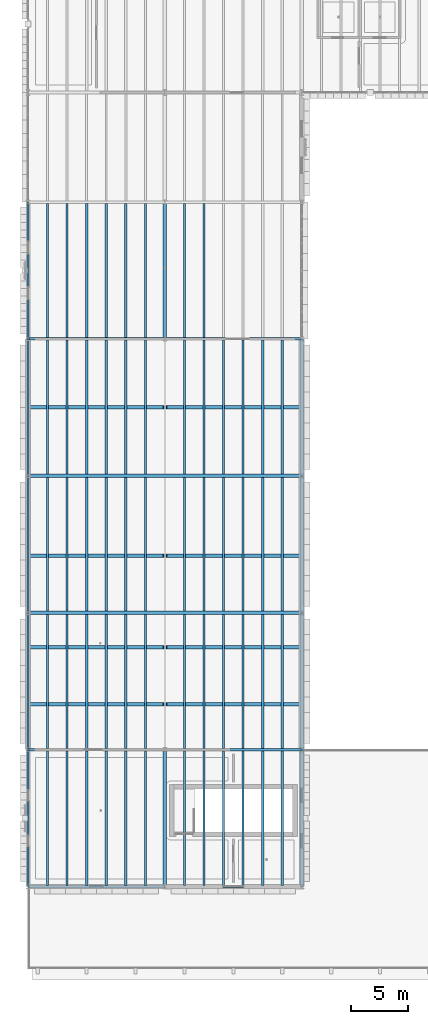
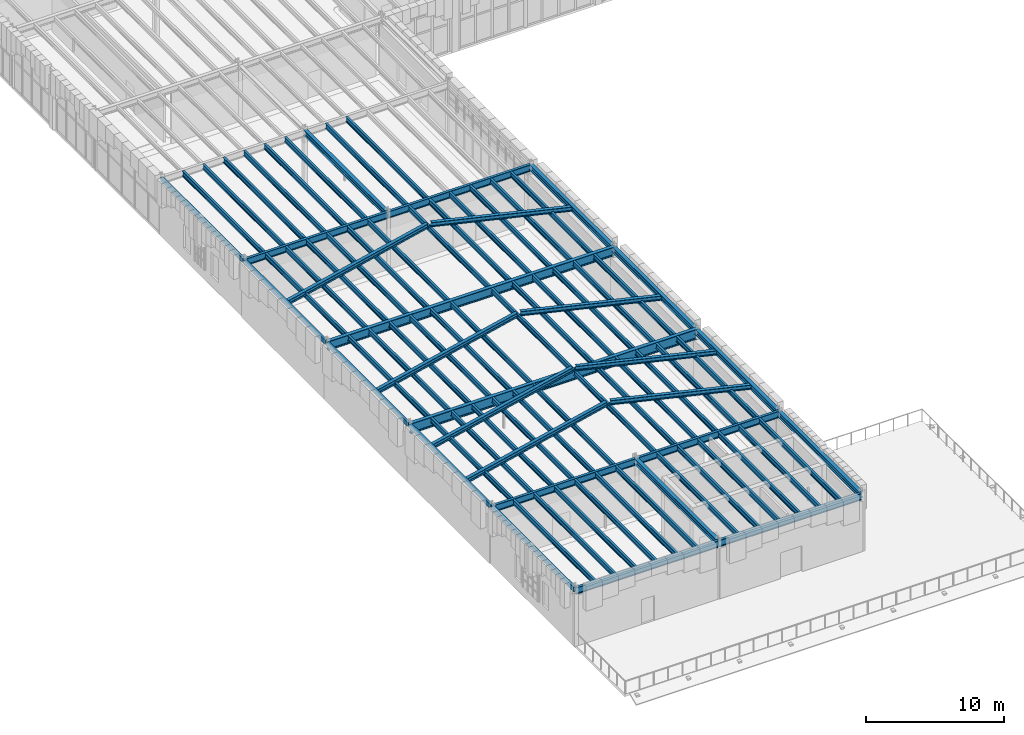
# One storey, part 14 of 100: 83 beams.
"""IFC4 building model written with IfcOpenShell, lengths in metres."""

from ifc_helpers import new_model, si_unit, direction, frame, origin, origin_2d, place, context, subcontext, project, spatial, hollow_rectangle, i_section, extrude, material, material_profile, profile_set, type_object, element, save


model = new_model("IFC4")

# Units and contexts
model_context = context("Model", 3, precision=1e-05, world=origin(), true_north=direction((0.0, 1.0)))
body_context = subcontext(model_context, "Body", "Model", "MODEL_VIEW")
ifc_project = project(units=[si_unit("LENGTHUNIT", "METRE"), si_unit("AREAUNIT", "SQUARE_METRE"), si_unit("VOLUMEUNIT", "CUBIC_METRE"), si_unit("PLANEANGLEUNIT", "RADIAN"), si_unit("MASSUNIT", "GRAM", prefix="KILO")], contexts=[model_context])

# Site, building, storey
site_placement = place(None, origin())
site = spatial("IfcSite", under=ifc_project, at=site_placement, CompositionType="ELEMENT")
building_placement = place(site_placement, origin())
building = spatial("IfcBuilding", under=site, at=building_placement, Name="Zlatogorsky Bluff Art Gallery", CompositionType="ELEMENT")
storey_placement = place(building_placement, frame((0.0, 0.0, 5.39990234375)))
storey = spatial("IfcBuildingStorey", under=building, at=storey_placement, Name="L01", CompositionType="ELEMENT", Elevation=5.39990234375)

# Beams
ifc_material = material(Name="Steel S355", Category="steel")
ifc_material_profile_1 = material_profile(ifc_material, i_section(OverallWidth=0.300048828125, OverallDepth=0.800048828125, WebThickness=0.017578125, FlangeThickness=0.032958984375, FilletRadius=0.030029296875, at=origin_2d()), Name="HEB 800")
ifc_profile_set_1 = profile_set([ifc_material_profile_1], Name="Steel S355")
beam_type_1 = type_object("IfcBeamType", Name="Beam BM-03 HEB 800", PredefinedType="BEAM", material=ifc_profile_set_1)
beam_1_placement = place(storey_placement, frame((0.014892578125, 50.39990234375, 4.710205078125), z_axis=(1.0, 0.0, 0.0), x_axis=(0.0, 1.0, 0.0)))
element("IfcBeam", 1, at=beam_1_placement, inside=storey, type_object=beam_type_1, Name="Auditorium long-span girder BM-03 L01 A-C/6", PredefinedType="BEAM", context=body_context, shape_type="SweptSolid", body=[
    extrude(i_section(OverallWidth=0.300048828125, OverallDepth=0.800048828125, WebThickness=0.017578125, FlangeThickness=0.032958984375, FilletRadius=0.030029296875, at=origin_2d()), origin(), (0.0, 0.0, 1.0), 23.97021484375),
])
ifc_material_profile_2 = material_profile(ifc_material, i_section(OverallWidth=0.300048828125, OverallDepth=0.89990234375, WebThickness=0.0185546875, FlangeThickness=0.034912109375, FilletRadius=0.030029296875, at=origin_2d()), Name="HEB 900")
ifc_profile_set_2 = profile_set([ifc_material_profile_2], Name="Steel S355")
beam_type_2 = type_object("IfcBeamType", Name="Beam BM-04 HEB 900", PredefinedType="BEAM", material=ifc_profile_set_2)
beam_2_placement = place(storey_placement, frame((0.014892578125, 38.39990234375, 4.66015625), z_axis=(1.0, 0.0, 0.0), x_axis=(0.0, 1.0, 0.0)))
element("IfcBeam", 2, at=beam_2_placement, inside=storey, type_object=beam_type_2, Name="Auditorium long-span girder BM-04 L01 A-C/5", PredefinedType="BEAM", context=body_context, shape_type="SweptSolid", body=[
    extrude(i_section(OverallWidth=0.300048828125, OverallDepth=0.89990234375, WebThickness=0.0185546875, FlangeThickness=0.034912109375, FilletRadius=0.030029296875, at=origin_2d()), origin(), (0.0, 0.0, 1.0), 23.97021484375),
])
ifc_material_profile_3 = material_profile(ifc_material, i_section(OverallWidth=0.300048828125, OverallDepth=0.489990234375, WebThickness=0.011962890625, FlangeThickness=0.02294921875, FilletRadius=0.027099609375, at=origin_2d()), Name="HEA 500")
ifc_profile_set_3 = profile_set([ifc_material_profile_3], Name="Steel S355")
beam_type_3 = type_object("IfcBeamType", Name="Beam BM-07 HEA 500", PredefinedType="BEAM", material=ifc_profile_set_3)
for number, where, z_axis, x_axis, name in (
    (3, (12.0, 14.4150390625, 4.864990234375), (0.0, 1.0, 0.0), (-1.0, 0.0, 0.0), "Primary girder BM-07 L01 B/3-4"),
    (4, (12.0, 62.4150390625, 4.864990234375), (0.0, 1.0, 0.0), (-1.0, 0.0, 0.0), "Primary girder BM-07 L01 B/7-8"),
    (5, (24.0, 14.4150390625, 4.864990234375), (0.0, 1.0, 0.0), (-1.0, 0.0, 0.0), "Primary girder BM-07 L01 C/3-4"),
    (6, (24.0, 26.4150390625, 4.864990234375), (0.0, 1.0, 0.0), (-1.0, 0.0, 0.0), "Primary girder BM-07 L01 C/4-5"),
    (7, (24.0, 38.4150390625, 4.864990234375), (0.0, 1.0, 0.0), (-1.0, 0.0, 0.0), "Primary girder BM-07 L01 C/5-6"),
    (8, (24.0, 50.4150390625, 4.864990234375), (0.0, 1.0, 0.0), (-1.0, 0.0, 0.0), "Primary girder BM-07 L01 C/6-7"),
):
    element("IfcBeam", number, at=place(storey_placement, frame(where, z_axis=z_axis, x_axis=x_axis)), inside=storey, type_object=beam_type_3, Name=name, PredefinedType="BEAM", context=body_context, shape_type="SweptSolid", body=[
        extrude(i_section(OverallWidth=0.300048828125, OverallDepth=0.489990234375, WebThickness=0.011962890625, FlangeThickness=0.02294921875, FilletRadius=0.027099609375, at=origin_2d()), origin(), (0.0, 0.0, 1.0), 11.969970703125),
    ])
ifc_material_profile_4 = material_profile(ifc_material, i_section(OverallWidth=0.300048828125, OverallDepth=0.389892578125, WebThickness=0.010986328125, FlangeThickness=0.01904296875, FilletRadius=0.027099609375, at=origin_2d()), Name="HEA 400")
ifc_profile_set_4 = profile_set([ifc_material_profile_4], Name="Steel S355")
beam_type_4 = type_object("IfcBeamType", Name="Beam BM-09 HEA 400", PredefinedType="BEAM", material=ifc_profile_set_4)
for number, where, z_axis, x_axis, name in (
    (9, (0.02001953125, 30.39990234375, 4.820068359375), (0.974058395579, 0.0, 0.226296800688), (0.0, 1.0, 0.0), "Auditorium pitched rafter west Y=30.4"),
    (10, (12.139892578125, 30.39990234375, 7.57080078125), (0.974058395579, 0.0, -0.226296800688), (0.0, 1.0, 0.0), "Auditorium pitched rafter east Y=30.4"),
    (11, (0.02001953125, 35.39990234375, 4.820068359375), (0.974058395579, 0.0, 0.226296800688), (0.0, 1.0, 0.0), "Auditorium pitched rafter west Y=35.4"),
    (12, (12.139892578125, 35.39990234375, 7.57080078125), (0.974058395579, 0.0, -0.226296800688), (0.0, 1.0, 0.0), "Auditorium pitched rafter east Y=35.4"),
    (13, (0.02001953125, 43.39990234375, 4.820068359375), (0.974058395579, 0.0, 0.226296800688), (0.0, 1.0, 0.0), "Auditorium pitched rafter west Y=43.4"),
    (14, (12.139892578125, 43.39990234375, 7.57080078125), (0.974058395579, 0.0, -0.226296800688), (0.0, 1.0, 0.0), "Auditorium pitched rafter east Y=43.4"),
    (15, (0.02001953125, 56.39990234375, 4.820068359375), (0.974058395579, 0.0, 0.226296800688), (0.0, 1.0, 0.0), "Auditorium pitched rafter west Y=56.4"),
    (16, (12.139892578125, 56.39990234375, 7.57080078125), (0.974058395579, 0.0, -0.226296800688), (0.0, 1.0, 0.0), "Auditorium pitched rafter east Y=56.4"),
):
    element("IfcBeam", number, at=place(storey_placement, frame(where, z_axis=z_axis, x_axis=x_axis)), inside=storey, type_object=beam_type_4, Name=name, PredefinedType="BEAM", context=body_context, shape_type="SweptSolid", body=[
        extrude(i_section(OverallWidth=0.300048828125, OverallDepth=0.389892578125, WebThickness=0.010986328125, FlangeThickness=0.01904296875, FilletRadius=0.027099609375, at=origin_2d()), origin(), (0.0, 0.0, 1.0), 12.155517578125),
    ])
ifc_material_profile_5 = material_profile(ifc_material, i_section(OverallWidth=0.219970703125, OverallDepth=0.60009765625, WebThickness=0.011962890625, FlangeThickness=0.01904296875, FilletRadius=0.02392578125, at=origin_2d()), Name="IPE 600")
ifc_profile_set_5 = profile_set([ifc_material_profile_5], Name="Steel S355")
beam_type_5 = type_object("IfcBeamType", Name="Beam BM-13 IPE 600", PredefinedType="BEAM", material=ifc_profile_set_5)
for number, where, z_axis, x_axis, name in (
    (17, (0.014892578125, 14.39990234375, 4.81005859375), (1.0, 0.0, 0.0), (0.0, 1.0, 0.0), "Primary girder BM-13 L01 A-B/3"),
    (18, (0.014892578125, 26.39990234375, 4.81005859375), (1.0, 0.0, 0.0), (0.0, 1.0, 0.0), "Primary girder BM-13 L01 A-B/4"),
    (19, (0.014892578125, 62.39990234375, 4.81005859375), (1.0, 0.0, 0.0), (0.0, 1.0, 0.0), "Primary girder BM-13 L01 A-B/7"),
    (20, (12.014892578125, 14.39990234375, 4.81005859375), (1.0, 0.0, 0.0), (0.0, 1.0, 0.0), "Primary girder BM-13 L01 B-C/3"),
    (21, (12.014892578125, 26.39990234375, 4.81005859375), (1.0, 0.0, 0.0), (0.0, 1.0, 0.0), "Primary girder BM-13 L01 B-C/4"),
    (22, (12.014892578125, 62.39990234375, 4.81005859375), (1.0, 0.0, 0.0), (0.0, 1.0, 0.0), "Primary girder BM-13 L01 B-C/7"),
):
    element("IfcBeam", number, at=place(storey_placement, frame(where, z_axis=z_axis, x_axis=x_axis)), inside=storey, type_object=beam_type_5, Name=name, PredefinedType="BEAM", context=body_context, shape_type="SweptSolid", body=[
        extrude(i_section(OverallWidth=0.219970703125, OverallDepth=0.60009765625, WebThickness=0.011962890625, FlangeThickness=0.01904296875, FilletRadius=0.02392578125, at=origin_2d()), origin(), (0.0, 0.0, 1.0), 11.97021484375),
    ])
ifc_material_profile_6 = material_profile(ifc_material, i_section(OverallWidth=0.18994140625, OverallDepth=0.449951171875, WebThickness=0.009521484375, FlangeThickness=0.0146484375, FilletRadius=0.02099609375, at=origin_2d()), Name="IPE 450")
ifc_profile_set_6 = profile_set([ifc_material_profile_6], Name="Steel S355")
beam_type_6 = type_object("IfcBeamType", Name="Beam JS-06 IPE 450", PredefinedType="JOIST", material=ifc_profile_set_6)
for number, where, z_axis, x_axis, name in (
    (23, (1.71435546875, 14.510009765625, 4.885009765625), (0.0, 1.0, 0.0), (-1.0, 0.0, 0.0), "Composite floor joist JS-06 L01 00.02.1"),
    (24, (3.428466796875, 14.510009765625, 4.885009765625), (0.0, 1.0, 0.0), (-1.0, 0.0, 0.0), "Composite floor joist JS-06 L01 00.02.2"),
    (25, (5.142822265625, 14.510009765625, 4.885009765625), (0.0, 1.0, 0.0), (-1.0, 0.0, 0.0), "Composite floor joist JS-06 L01 00.02.3"),
    (26, (6.857177734375, 14.510009765625, 4.885009765625), (0.0, 1.0, 0.0), (-1.0, 0.0, 0.0), "Composite floor joist JS-06 L01 00.02.4"),
    (27, (8.571533203125, 14.510009765625, 4.885009765625), (0.0, 1.0, 0.0), (-1.0, 0.0, 0.0), "Composite floor joist JS-06 L01 00.02.5"),
    (28, (10.28564453125, 14.510009765625, 4.885009765625), (0.0, 1.0, 0.0), (-1.0, 0.0, 0.0), "Composite floor joist JS-06 L01 00.02.6"),
):
    element("IfcBeam", number, at=place(storey_placement, frame(where, z_axis=z_axis, x_axis=x_axis)), inside=storey, type_object=beam_type_6, Name=name, PredefinedType="JOIST", context=body_context, shape_type="SweptSolid", body=[
        extrude(i_section(OverallWidth=0.18994140625, OverallDepth=0.449951171875, WebThickness=0.009521484375, FlangeThickness=0.0146484375, FilletRadius=0.02099609375, at=origin_2d()), origin(), (0.0, 0.0, 1.0), 11.780029296875),
    ])
for number, where, z_axis, x_axis, name in (
    (29, (1.71435546875, 26.510009765625, 4.885009765625), (0.0, 1.0, 0.0), (-1.0, 0.0, 0.0), "Composite floor joist JS-06 L01 00.03.1"),
    (30, (3.428466796875, 26.510009765625, 4.885009765625), (0.0, 1.0, 0.0), (-1.0, 0.0, 0.0), "Composite floor joist JS-06 L01 00.03.2"),
    (31, (5.142822265625, 26.510009765625, 4.885009765625), (0.0, 1.0, 0.0), (-1.0, 0.0, 0.0), "Composite floor joist JS-06 L01 00.03.3"),
    (32, (6.857177734375, 26.510009765625, 4.885009765625), (0.0, 1.0, 0.0), (-1.0, 0.0, 0.0), "Composite floor joist JS-06 L01 00.03.4"),
    (33, (8.571533203125, 26.510009765625, 4.885009765625), (0.0, 1.0, 0.0), (-1.0, 0.0, 0.0), "Composite floor joist JS-06 L01 00.03.5"),
    (34, (10.28564453125, 26.510009765625, 4.885009765625), (0.0, 1.0, 0.0), (-1.0, 0.0, 0.0), "Composite floor joist JS-06 L01 00.03.6"),
):
    element("IfcBeam", number, at=place(storey_placement, frame(where, z_axis=z_axis, x_axis=x_axis)), inside=storey, type_object=beam_type_6, Name=name, PredefinedType="JOIST", context=body_context, shape_type="SweptSolid", body=[
        extrude(i_section(OverallWidth=0.18994140625, OverallDepth=0.449951171875, WebThickness=0.009521484375, FlangeThickness=0.0146484375, FilletRadius=0.02099609375, at=origin_2d()), origin(), (0.0, 0.0, 1.0), 11.739990234375),
    ])
for number, where, z_axis, x_axis, name in (
    (35, (1.71435546875, 38.550048828125, 4.885009765625), (0.0, 1.0, 0.0), (-1.0, 0.0, 0.0), "Composite floor joist JS-06 L01 00.04.1"),
    (36, (3.428466796875, 38.550048828125, 4.885009765625), (0.0, 1.0, 0.0), (-1.0, 0.0, 0.0), "Composite floor joist JS-06 L01 00.04.2"),
    (37, (5.142822265625, 38.550048828125, 4.885009765625), (0.0, 1.0, 0.0), (-1.0, 0.0, 0.0), "Composite floor joist JS-06 L01 00.04.3"),
    (38, (6.857177734375, 38.550048828125, 4.885009765625), (0.0, 1.0, 0.0), (-1.0, 0.0, 0.0), "Composite floor joist JS-06 L01 00.04.4"),
    (39, (8.571533203125, 38.550048828125, 4.885009765625), (0.0, 1.0, 0.0), (-1.0, 0.0, 0.0), "Composite floor joist JS-06 L01 00.04.5"),
    (40, (10.28564453125, 38.550048828125, 4.885009765625), (0.0, 1.0, 0.0), (-1.0, 0.0, 0.0), "Composite floor joist JS-06 L01 00.04.6"),
):
    element("IfcBeam", number, at=place(storey_placement, frame(where, z_axis=z_axis, x_axis=x_axis)), inside=storey, type_object=beam_type_6, Name=name, PredefinedType="JOIST", context=body_context, shape_type="SweptSolid", body=[
        extrude(i_section(OverallWidth=0.18994140625, OverallDepth=0.449951171875, WebThickness=0.009521484375, FlangeThickness=0.0146484375, FilletRadius=0.02099609375, at=origin_2d()), origin(), (0.0, 0.0, 1.0), 11.699951171875),
    ])
for number, where, z_axis, x_axis, name in (
    (41, (1.71435546875, 50.550048828125, 4.885009765625), (0.0, 1.0, 0.0), (-1.0, 0.0, 0.0), "Composite floor joist JS-06 L01 00.05.1"),
    (42, (3.428466796875, 50.550048828125, 4.885009765625), (0.0, 1.0, 0.0), (-1.0, 0.0, 0.0), "Composite floor joist JS-06 L01 00.05.2"),
    (43, (5.142822265625, 50.550048828125, 4.885009765625), (0.0, 1.0, 0.0), (-1.0, 0.0, 0.0), "Composite floor joist JS-06 L01 00.05.3"),
    (44, (6.857177734375, 50.550048828125, 4.885009765625), (0.0, 1.0, 0.0), (-1.0, 0.0, 0.0), "Composite floor joist JS-06 L01 00.05.4"),
    (45, (8.571533203125, 50.550048828125, 4.885009765625), (0.0, 1.0, 0.0), (-1.0, 0.0, 0.0), "Composite floor joist JS-06 L01 00.05.5"),
    (46, (10.28564453125, 50.550048828125, 4.885009765625), (0.0, 1.0, 0.0), (-1.0, 0.0, 0.0), "Composite floor joist JS-06 L01 00.05.6"),
):
    element("IfcBeam", number, at=place(storey_placement, frame(where, z_axis=z_axis, x_axis=x_axis)), inside=storey, type_object=beam_type_6, Name=name, PredefinedType="JOIST", context=body_context, shape_type="SweptSolid", body=[
        extrude(i_section(OverallWidth=0.18994140625, OverallDepth=0.449951171875, WebThickness=0.009521484375, FlangeThickness=0.0146484375, FilletRadius=0.02099609375, at=origin_2d()), origin(), (0.0, 0.0, 1.0), 11.739990234375),
    ])
for number, where, z_axis, x_axis, name in (
    (47, (1.71435546875, 62.510009765625, 4.885009765625), (0.0, 1.0, 0.0), (-1.0, 0.0, 0.0), "Composite floor joist JS-06 L01 00.06.1"),
    (48, (3.428466796875, 62.510009765625, 4.885009765625), (0.0, 1.0, 0.0), (-1.0, 0.0, 0.0), "Composite floor joist JS-06 L01 00.06.2"),
    (49, (5.142822265625, 62.510009765625, 4.885009765625), (0.0, 1.0, 0.0), (-1.0, 0.0, 0.0), "Composite floor joist JS-06 L01 00.06.3"),
    (50, (6.857177734375, 62.510009765625, 4.885009765625), (0.0, 1.0, 0.0), (-1.0, 0.0, 0.0), "Composite floor joist JS-06 L01 00.06.4"),
    (51, (8.571533203125, 62.510009765625, 4.885009765625), (0.0, 1.0, 0.0), (-1.0, 0.0, 0.0), "Composite floor joist JS-06 L01 00.06.5"),
    (52, (10.28564453125, 62.510009765625, 4.885009765625), (0.0, 1.0, 0.0), (-1.0, 0.0, 0.0), "Composite floor joist JS-06 L01 00.06.6"),
    (53, (13.71435546875, 14.510009765625, 4.885009765625), (0.0, 1.0, 0.0), (-1.0, 0.0, 0.0), "Composite floor joist JS-06 L01 01.02.1"),
    (54, (15.428466796875, 14.510009765625, 4.885009765625), (0.0, 1.0, 0.0), (-1.0, 0.0, 0.0), "Composite floor joist JS-06 L01 01.02.2"),
    (55, (17.142822265625, 14.510009765625, 4.885009765625), (0.0, 1.0, 0.0), (-1.0, 0.0, 0.0), "Composite floor joist JS-06 L01 01.02.3"),
    (56, (18.857177734375, 14.510009765625, 4.885009765625), (0.0, 1.0, 0.0), (-1.0, 0.0, 0.0), "Composite floor joist JS-06 L01 01.02.4"),
    (57, (20.571533203125, 14.510009765625, 4.885009765625), (0.0, 1.0, 0.0), (-1.0, 0.0, 0.0), "Composite floor joist JS-06 L01 01.02.5"),
    (58, (22.28564453125, 14.510009765625, 4.885009765625), (0.0, 1.0, 0.0), (-1.0, 0.0, 0.0), "Composite floor joist JS-06 L01 01.02.6"),
):
    element("IfcBeam", number, at=place(storey_placement, frame(where, z_axis=z_axis, x_axis=x_axis)), inside=storey, type_object=beam_type_6, Name=name, PredefinedType="JOIST", context=body_context, shape_type="SweptSolid", body=[
        extrude(i_section(OverallWidth=0.18994140625, OverallDepth=0.449951171875, WebThickness=0.009521484375, FlangeThickness=0.0146484375, FilletRadius=0.02099609375, at=origin_2d()), origin(), (0.0, 0.0, 1.0), 11.780029296875),
    ])
for number, where, z_axis, x_axis, name in (
    (59, (13.71435546875, 26.510009765625, 4.885009765625), (0.0, 1.0, 0.0), (-1.0, 0.0, 0.0), "Composite floor joist JS-06 L01 01.03.1"),
    (60, (15.428466796875, 26.510009765625, 4.885009765625), (0.0, 1.0, 0.0), (-1.0, 0.0, 0.0), "Composite floor joist JS-06 L01 01.03.2"),
    (61, (17.142822265625, 26.510009765625, 4.885009765625), (0.0, 1.0, 0.0), (-1.0, 0.0, 0.0), "Composite floor joist JS-06 L01 01.03.3"),
    (62, (18.857177734375, 26.510009765625, 4.885009765625), (0.0, 1.0, 0.0), (-1.0, 0.0, 0.0), "Composite floor joist JS-06 L01 01.03.4"),
    (63, (20.571533203125, 26.510009765625, 4.885009765625), (0.0, 1.0, 0.0), (-1.0, 0.0, 0.0), "Composite floor joist JS-06 L01 01.03.5"),
    (64, (22.28564453125, 26.510009765625, 4.885009765625), (0.0, 1.0, 0.0), (-1.0, 0.0, 0.0), "Composite floor joist JS-06 L01 01.03.6"),
):
    element("IfcBeam", number, at=place(storey_placement, frame(where, z_axis=z_axis, x_axis=x_axis)), inside=storey, type_object=beam_type_6, Name=name, PredefinedType="JOIST", context=body_context, shape_type="SweptSolid", body=[
        extrude(i_section(OverallWidth=0.18994140625, OverallDepth=0.449951171875, WebThickness=0.009521484375, FlangeThickness=0.0146484375, FilletRadius=0.02099609375, at=origin_2d()), origin(), (0.0, 0.0, 1.0), 11.739990234375),
    ])
for number, where, z_axis, x_axis, name in (
    (65, (13.71435546875, 38.550048828125, 4.885009765625), (0.0, 1.0, 0.0), (-1.0, 0.0, 0.0), "Composite floor joist JS-06 L01 01.04.1"),
    (66, (15.428466796875, 38.550048828125, 4.885009765625), (0.0, 1.0, 0.0), (-1.0, 0.0, 0.0), "Composite floor joist JS-06 L01 01.04.2"),
    (67, (17.142822265625, 38.550048828125, 4.885009765625), (0.0, 1.0, 0.0), (-1.0, 0.0, 0.0), "Composite floor joist JS-06 L01 01.04.3"),
    (68, (18.857177734375, 38.550048828125, 4.885009765625), (0.0, 1.0, 0.0), (-1.0, 0.0, 0.0), "Composite floor joist JS-06 L01 01.04.4"),
    (69, (20.571533203125, 38.550048828125, 4.885009765625), (0.0, 1.0, 0.0), (-1.0, 0.0, 0.0), "Composite floor joist JS-06 L01 01.04.5"),
    (70, (22.28564453125, 38.550048828125, 4.885009765625), (0.0, 1.0, 0.0), (-1.0, 0.0, 0.0), "Composite floor joist JS-06 L01 01.04.6"),
):
    element("IfcBeam", number, at=place(storey_placement, frame(where, z_axis=z_axis, x_axis=x_axis)), inside=storey, type_object=beam_type_6, Name=name, PredefinedType="JOIST", context=body_context, shape_type="SweptSolid", body=[
        extrude(i_section(OverallWidth=0.18994140625, OverallDepth=0.449951171875, WebThickness=0.009521484375, FlangeThickness=0.0146484375, FilletRadius=0.02099609375, at=origin_2d()), origin(), (0.0, 0.0, 1.0), 11.699951171875),
    ])
for number, where, z_axis, x_axis, name in (
    (71, (13.71435546875, 50.550048828125, 4.885009765625), (0.0, 1.0, 0.0), (-1.0, 0.0, 0.0), "Composite floor joist JS-06 L01 01.05.1"),
    (72, (15.428466796875, 50.550048828125, 4.885009765625), (0.0, 1.0, 0.0), (-1.0, 0.0, 0.0), "Composite floor joist JS-06 L01 01.05.2"),
    (73, (17.142822265625, 50.550048828125, 4.885009765625), (0.0, 1.0, 0.0), (-1.0, 0.0, 0.0), "Composite floor joist JS-06 L01 01.05.3"),
    (74, (18.857177734375, 50.550048828125, 4.885009765625), (0.0, 1.0, 0.0), (-1.0, 0.0, 0.0), "Composite floor joist JS-06 L01 01.05.4"),
    (75, (20.571533203125, 50.550048828125, 4.885009765625), (0.0, 1.0, 0.0), (-1.0, 0.0, 0.0), "Composite floor joist JS-06 L01 01.05.5"),
    (76, (22.28564453125, 50.550048828125, 4.885009765625), (0.0, 1.0, 0.0), (-1.0, 0.0, 0.0), "Composite floor joist JS-06 L01 01.05.6"),
):
    element("IfcBeam", number, at=place(storey_placement, frame(where, z_axis=z_axis, x_axis=x_axis)), inside=storey, type_object=beam_type_6, Name=name, PredefinedType="JOIST", context=body_context, shape_type="SweptSolid", body=[
        extrude(i_section(OverallWidth=0.18994140625, OverallDepth=0.449951171875, WebThickness=0.009521484375, FlangeThickness=0.0146484375, FilletRadius=0.02099609375, at=origin_2d()), origin(), (0.0, 0.0, 1.0), 11.739990234375),
    ])
for number, where, z_axis, x_axis, name in (
    (77, (13.71435546875, 62.510009765625, 4.885009765625), (0.0, 1.0, 0.0), (-1.0, 0.0, 0.0), "Composite floor joist JS-06 L01 01.06.1"),
    (78, (15.428466796875, 62.510009765625, 4.885009765625), (0.0, 1.0, 0.0), (-1.0, 0.0, 0.0), "Composite floor joist JS-06 L01 01.06.2"),
):
    element("IfcBeam", number, at=place(storey_placement, frame(where, z_axis=z_axis, x_axis=x_axis)), inside=storey, type_object=beam_type_6, Name=name, PredefinedType="JOIST", context=body_context, shape_type="SweptSolid", body=[
        extrude(i_section(OverallWidth=0.18994140625, OverallDepth=0.449951171875, WebThickness=0.009521484375, FlangeThickness=0.0146484375, FilletRadius=0.02099609375, at=origin_2d()), origin(), (0.0, 0.0, 1.0), 11.780029296875),
    ])
ifc_material_profile_7 = material_profile(ifc_material, hollow_rectangle(XDim=0.199951171875, YDim=0.39990234375, WallThickness=0.01611328125, at=origin_2d()), Name="RHS 400x200x16")
ifc_profile_set_7 = profile_set([ifc_material_profile_7], Name="Steel S355")
beam_type_7 = type_object("IfcBeamType", Name="Beam SP-02 RHS 400x200x16", PredefinedType="SPANDREL", material=ifc_profile_set_7)
for number, where, z_axis, x_axis, name in (
    (79, (0.0, 14.4150390625, 4.91015625), (0.0, 1.0, 0.0), (-1.0, 0.0, 0.0), "Primary girder SP-02 L01 A/3-4"),
    (80, (0.0, 26.4150390625, 4.91015625), (0.0, 1.0, 0.0), (-1.0, 0.0, 0.0), "Primary girder SP-02 L01 A/4-5"),
    (81, (0.0, 38.4150390625, 4.91015625), (0.0, 1.0, 0.0), (-1.0, 0.0, 0.0), "Primary girder SP-02 L01 A/5-6"),
    (82, (0.0, 50.4150390625, 4.91015625), (0.0, 1.0, 0.0), (-1.0, 0.0, 0.0), "Primary girder SP-02 L01 A/6-7"),
    (83, (0.0, 62.4150390625, 4.91015625), (0.0, 1.0, 0.0), (-1.0, 0.0, 0.0), "Primary girder SP-02 L01 A/7-8"),
):
    element("IfcBeam", number, at=place(storey_placement, frame(where, z_axis=z_axis, x_axis=x_axis)), inside=storey, type_object=beam_type_7, Name=name, PredefinedType="SPANDREL", context=body_context, shape_type="SweptSolid", body=[
        extrude(hollow_rectangle(XDim=0.199951171875, YDim=0.39990234375, WallThickness=0.01611328125, at=origin_2d()), origin(), (0.0, 0.0, 1.0), 11.969970703125),
    ])

save(model, "model.ifc")
